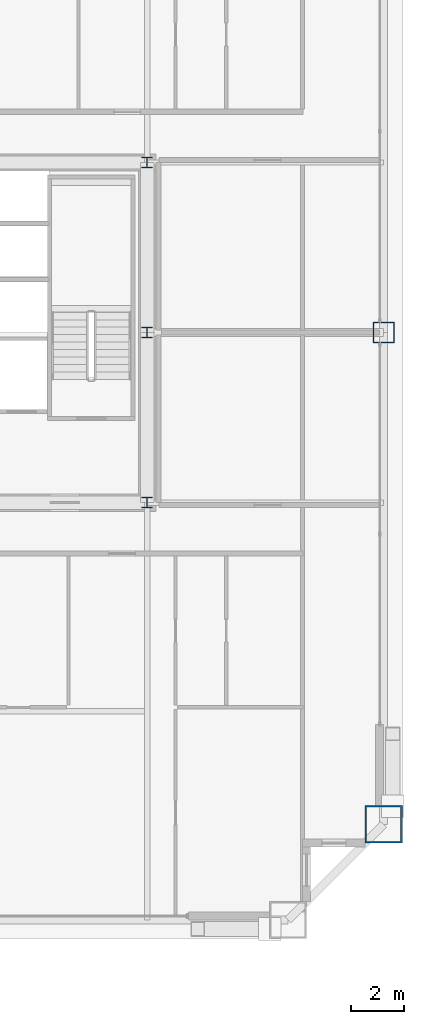
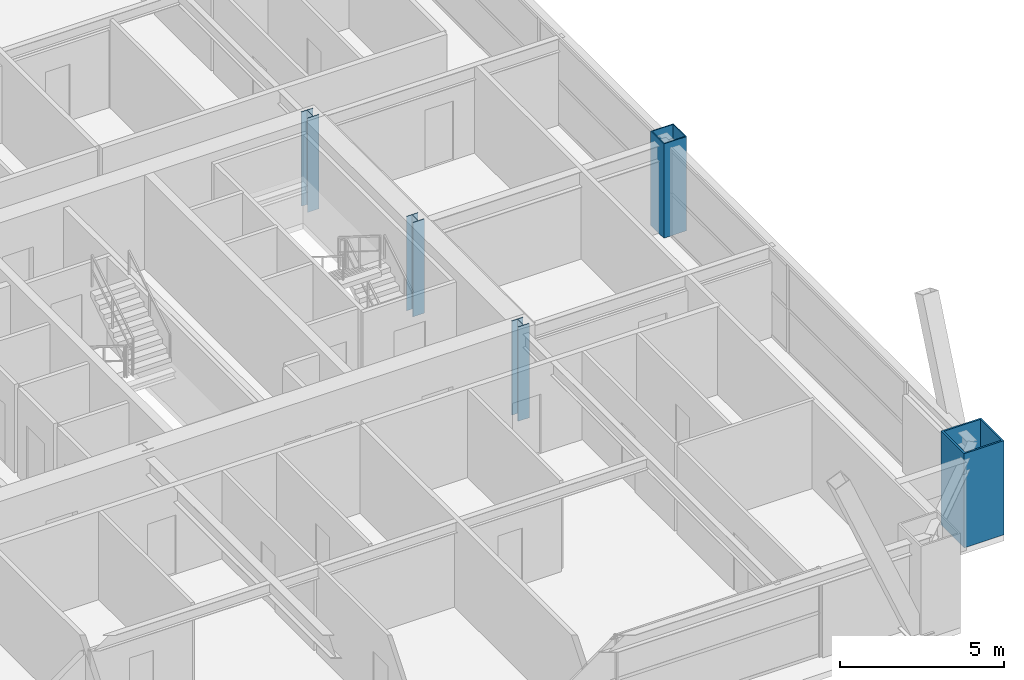
# One storey, part 2 of 42: 5 columns.
"""IFC4 building model written with IfcOpenShell, lengths in metres."""

from ifc_helpers import new_model, si_unit, direction, frame, origin, origin_2d, place, context, subcontext, project, spatial, hollow_rectangle, i_section, extrude, source, transform, mapped, material, material_profile, profile_set, type_object, element, save


model = new_model("IFC4")

# Units and contexts
model_context = context("Model", 3, precision=1e-05, world=origin(), true_north=direction((0.0, 1.0)))
body_context = subcontext(model_context, "Body", "Model", "MODEL_VIEW")
ifc_project = project(units=[si_unit("LENGTHUNIT", "METRE"), si_unit("AREAUNIT", "SQUARE_METRE"), si_unit("VOLUMEUNIT", "CUBIC_METRE"), si_unit("PLANEANGLEUNIT", "RADIAN"), si_unit("MASSUNIT", "GRAM", prefix="KILO"), si_unit("THERMODYNAMICTEMPERATUREUNIT", "KELVIN"), si_unit("POWERUNIT", "WATT")], contexts=[model_context])

# Site, building, storey
site_placement = place(None, origin())
site = spatial("IfcSite", under=ifc_project, at=site_placement, CompositionType="ELEMENT")
building_placement = place(site_placement, origin())
building = spatial("IfcBuilding", under=site, at=building_placement, Name="Yuzanri Waterfront Tower", CompositionType="ELEMENT")
storey_placement = place(building_placement, frame((0.0, 0.0, 205.5)))
storey = spatial("IfcBuildingStorey", under=building, at=storey_placement, Name="L54", CompositionType="ELEMENT", Elevation=205.5)

# Columns
ifc_material_1 = material(Name="Steel Q355B", Category="steel")
ifc_material_profile_1 = material_profile(ifc_material_1, i_section(OverallWidth=0.39990234375, OverallDepth=0.39990234375, WebThickness=0.012939453125, FlangeThickness=0.02099609375, at=origin_2d()), Name="HW 400x400x13x21")
ifc_profile_set_1 = profile_set([ifc_material_profile_1], Name="Steel Q355B")
column_type_1 = type_object("IfcColumnType", Name="Core Post Q355B HW 400x400x13x21", PredefinedType="COLUMN", material=ifc_profile_set_1)
shared_shape_1 = source(origin(), body_context, "Body", "SweptSolid", [
    extrude(i_section(OverallWidth=0.39990234375, OverallDepth=0.39990234375, WebThickness=0.012939453125, FlangeThickness=0.02099609375, at=origin_2d()), origin(), (0.0, 0.0, 1.0), 3.5),
])
for number, where, z_axis, x_axis, name in (
    (1, (50.199951171875, 19.39990234375, 0.0), (0.0, 0.0, 1.0), (1.0, 0.0, 0.0), "L54 Core Boundary Column CP3"),
    (2, (50.199951171875, 25.800048828125, 0.0), (0.0, 0.0, 1.0), (1.0, 0.0, 0.0), "L54 Core Boundary Column CP5"),
    (3, (50.199951171875, 32.199951171875, 0.0), (0.0, 0.0, 1.0), (1.0, 0.0, 0.0), "L54 Core Boundary Column CP8"),
):
    element("IfcColumn", number, at=place(storey_placement, frame(where, z_axis=z_axis, x_axis=x_axis)), inside=storey, type_object=column_type_1, Name=name, PredefinedType="COLUMN", context=body_context, shape_type="MappedRepresentation", body=[
        mapped(shared_shape_1, transform((0.0, 0.0, 0.0), scale=1.0)),
    ])
ifc_material_2 = material(Name="Steel Q420GJC", Category="steel")
ifc_material_profile_2 = material_profile(ifc_material_2, hollow_rectangle(XDim=1.39990234375, YDim=1.39990234375, WallThickness=0.06005859375, at=origin_2d()), Name="RHS 1400x1400x60")
ifc_profile_set_2 = profile_set([ifc_material_profile_2], Name="Steel Q420GJC")
column_type_2 = type_object("IfcColumnType", Name="Mega Column Q420GJC RHS 1400x1400x60", PredefinedType="COLUMN", material=ifc_profile_set_2)
shared_shape_2 = source(origin(), body_context, "Body", "SweptSolid", [
    extrude(hollow_rectangle(XDim=1.39990234375, YDim=1.39990234375, WallThickness=0.06005859375, at=origin_2d()), origin(), (0.0, 0.0, 1.0), 3.5),
])
column_1_placement = place(storey_placement, frame((59.10009765625, 7.300048828125, 0.0), z_axis=(0.0, 0.0, 1.0), x_axis=(1.0, 0.0, 0.0)))
element("IfcColumn", 4, at=column_1_placement, inside=storey, type_object=column_type_2, Name="L54 Perimeter Mega Column E1", PredefinedType="COLUMN", context=body_context, shape_type="MappedRepresentation", body=[
    mapped(shared_shape_2, transform((0.0, 0.0, 0.0), scale=1.0)),
])
ifc_material_3 = material(Name="Steel Q390GJC", Category="steel")
ifc_material_profile_3 = material_profile(ifc_material_3, hollow_rectangle(XDim=0.800048828125, YDim=0.800048828125, WallThickness=0.035888671875, at=origin_2d()), Name="RHS 800x800x36")
ifc_profile_set_3 = profile_set([ifc_material_profile_3], Name="Steel Q390GJC")
column_type_3 = type_object("IfcColumnType", Name="Frame Column Q390GJC RHS 800x800x36", PredefinedType="COLUMN", material=ifc_profile_set_3)
shared_shape_3 = source(origin(), body_context, "Body", "SweptSolid", [
    extrude(hollow_rectangle(XDim=0.800048828125, YDim=0.800048828125, WallThickness=0.035888671875, at=origin_2d()), origin(), (0.0, 0.0, 1.0), 3.5),
])
column_2_placement = place(storey_placement, frame((59.10009765625, 25.800048828125, 0.0), z_axis=(0.0, 0.0, 1.0), x_axis=(1.0, 0.0, 0.0)))
element("IfcColumn", 5, at=column_2_placement, inside=storey, type_object=column_type_3, Name="L54 Perimeter Frame Column E2", PredefinedType="COLUMN", context=body_context, shape_type="MappedRepresentation", body=[
    mapped(shared_shape_3, transform((0.0, 0.0, 0.0), scale=1.0)),
])

save(model, "model.ifc")
